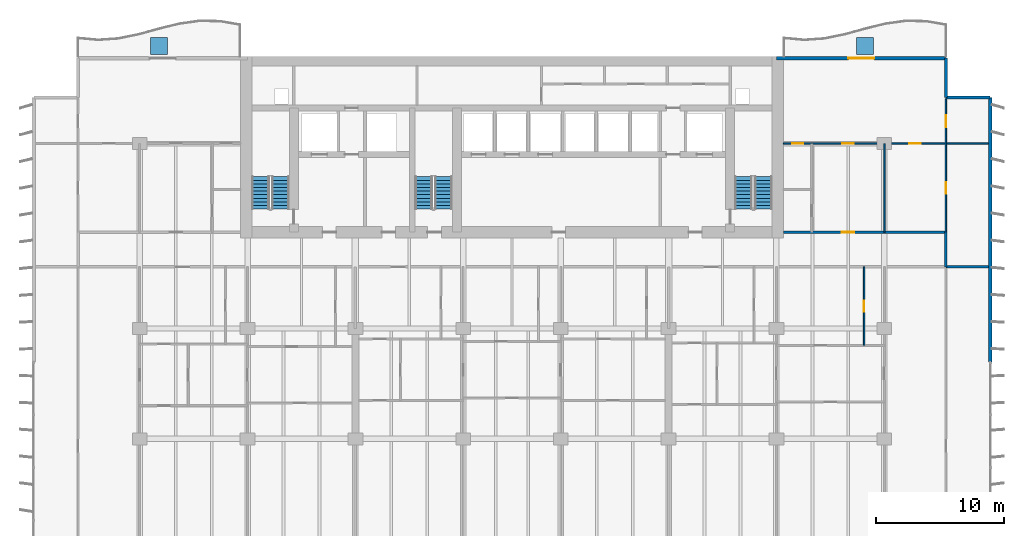
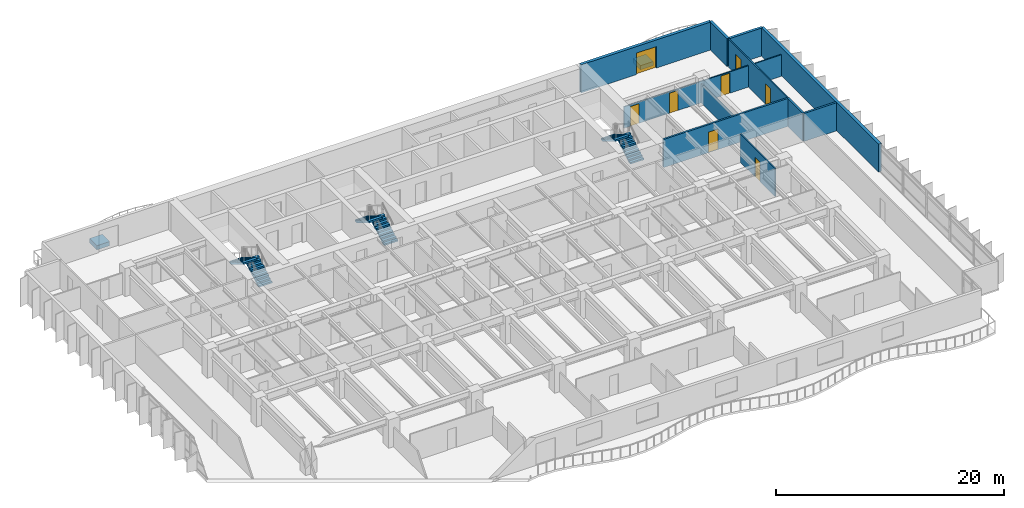
# One storey, part 11 of 15: 11 walls, 8 doors, 6 stair flights, 2 discrete accessories, 8 openings, 3 elements without a shape of their own.
"""IFC4 building model written with IfcOpenShell, lengths in metres."""

from ifc_helpers import new_model, si_unit, direction, frame, frame_2d, origin, origin_2d, place, context, subcontext, project, spatial, polyline, rectangle, outline, extrude, material, layer, layer_set, type_object, element, fill, aggregate, save


model = new_model("IFC4")

# Units and contexts
model_context = context("Model", 3, precision=1e-05, world=origin(), true_north=direction((0.0, 1.0)))
body_context = subcontext(model_context, "Body", "Model", "MODEL_VIEW")
ifc_project = project(units=[si_unit("LENGTHUNIT", "METRE"), si_unit("AREAUNIT", "SQUARE_METRE"), si_unit("VOLUMEUNIT", "CUBIC_METRE"), si_unit("PLANEANGLEUNIT", "RADIAN"), si_unit("MASSUNIT", "GRAM", prefix="KILO")], contexts=[model_context])

# Site, building, storey
site_placement = place(None, origin())
site = spatial("IfcSite", under=ifc_project, at=site_placement, CompositionType="ELEMENT")
building_placement = place(site_placement, origin())
building = spatial("IfcBuilding", under=site, at=building_placement, Name="Caelmar Bay Residences", CompositionType="ELEMENT")
storey_placement = place(building_placement, frame((0.0, 0.0, 76.199951171875)))
storey = spatial("IfcBuildingStorey", under=building, at=storey_placement, Name="L20", CompositionType="ELEMENT", Elevation=76.199951171875)

# Wall
ifc_material_1 = material(Name="Double-stud acoustic fire-rated gypsum partition 180 mm")
ifc_layer_1 = layer(ifc_material_1, 0.179931640625)
ifc_layer_set_1 = layer_set([ifc_layer_1], Name="Double-stud acoustic fire-rated gypsum partition 180 mm")
wall_type_1 = type_object("IfcWallType", Name="W-COR-200", PredefinedType="PARTITIONING", material=ifc_layer_set_1)
wall_1_placement = place(storey_placement, frame((72.699951171875, 34.205078125, 0.0), z_axis=(0.0, 0.0, 1.0), x_axis=(0.0, 1.0, 0.0)))
element("IfcWall", 1, at=wall_1_placement, inside=storey, type_object=wall_type_1, Name="L20 Partition Wall V054", PredefinedType="PARTITIONING", context=body_context, shape_type="SweptSolid", body=[
    extrude(rectangle(XDim=2.69482421875, YDim=0.179931640625, at=frame_2d((1.347412109375, 0.0))), origin(), (0.0, 0.0, 1.0), 3.0),
])

# Wall, opening, door
wall_2_placement = place(storey_placement, frame((60.054931640625, 36.89990234375, 0.0), z_axis=(0.0, 0.0, 1.0), x_axis=(1.0, 0.0, 0.0)))
wall_2 = element("IfcWall", 2, at=wall_2_placement, inside=storey, type_object=wall_type_1, Name="L20 Partition Wall H077", PredefinedType="PARTITIONING", context=body_context, shape_type="SweptSolid", body=[
    extrude(rectangle(XDim=12.64501953125, YDim=0.179931640625, at=frame_2d((6.322509765625, 0.0))), origin(), (0.0, 0.0, 1.0), 3.0),
])
opening_1_placement = place(wall_2_placement, frame((4.52001953125, 0.0, 0.0)))
opening_1 = element("IfcOpeningElement", 3, at=opening_1_placement, cuts=wall_2, Name="Opening D-L20-168", PredefinedType="OPENING", context=body_context, shape_type="SweptSolid", body=[
    extrude(rectangle(XDim=1.0, YDim=2.199951171875, at=frame_2d((0.5, 1.10009765625))), frame((0.0, 0.099853515625, 0.0), z_axis=(0.0, -1.0, 0.0), x_axis=(1.0, 0.0, 0.0)), (0.0, 0.0, 1.0), 0.199951171875),
])
ifc_material_2 = material(Name="Fire-rated steel and walnut architectural door assembly", Category="steel")
ifc_layer_2 = layer(ifc_material_2, 0.050048828125)
ifc_layer_set_2 = layer_set([ifc_layer_2], Name="Fire-rated steel and walnut architectural door assembly")
door_type_1 = type_object("IfcDoorType", Name="D-UNIT-1000", OperationType="NOTDEFINED", PredefinedType="DOOR", material=ifc_layer_set_2)
door_1_placement = place(opening_1_placement, origin())
door_1 = element("IfcDoor", 4, at=door_1_placement, inside=storey, type_object=door_type_1, Name="L20 Residence EA Kitchen Door", OperationType="SINGLE_SWING_LEFT", OverallHeight=2.199951171875, OverallWidth=1.0, PredefinedType="DOOR", context=body_context, shape_type="SweptSolid", body=[
    extrude(rectangle(XDim=1.0, YDim=2.199951171875, at=frame_2d((0.5, 1.10009765625))), frame((0.0, 0.02490234375, 0.0), z_axis=(0.0, -1.0, 0.0), x_axis=(1.0, 0.0, 0.0)), (0.0, 0.0, 1.0), 0.050048828125),
])
fill(opening_1, door_1)

# Walls
ifc_material_3 = material(Name="Precast concrete f'c 40 MPa (6,000 psi)", Category="concrete")
ifc_layer_3 = layer(ifc_material_3, 0.25)
ifc_layer_set_3 = layer_set([ifc_layer_3], Name="Precast concrete f'c 40 MPa (6,000 psi)")
wall_type_2 = type_object("IfcWallType", Name="W-EXT-250", PredefinedType="ELEMENTEDWALL", material=ifc_layer_set_3)
wall_3_placement = place(storey_placement, frame((72.699951171875, 50.449951171875, 0.0), z_axis=(0.0, 0.0, 1.0), x_axis=(0.0, -1.0, 0.0)))
element("IfcWall", 5, at=wall_3_placement, inside=storey, type_object=wall_type_2, Name="L20 NNE-V Notch Wall", PredefinedType="ELEMENTEDWALL", context=body_context, shape_type="SweptSolid", body=[
    extrude(rectangle(XDim=3.050048828125, YDim=0.25, at=frame_2d((1.52490234375, 0.0))), origin(), (0.0, 0.0, 1.0), 3.0),
])
wall_4_placement = place(storey_placement, frame((72.699951171875, 47.39990234375, 0.0), z_axis=(0.0, 0.0, 1.0), x_axis=(1.0, 0.0, 0.0)))
element("IfcWall", 6, at=wall_4_placement, inside=storey, type_object=wall_type_2, Name="L20 NNE-H Notch Wall", PredefinedType="ELEMENTEDWALL", context=body_context, shape_type="SweptSolid", body=[
    extrude(rectangle(XDim=3.449951171875, YDim=0.25, at=frame_2d((1.72509765625, 0.0))), origin(), (0.0, 0.0, 1.0), 3.0),
])
ifc_layer_4 = layer(ifc_material_3, 0.300048828125)
ifc_layer_set_4 = layer_set([ifc_layer_4], Name="Precast concrete f'c 40 MPa (6,000 psi)")
wall_type_3 = type_object("IfcWallType", Name="W-EXT-300", PredefinedType="STANDARD", material=ifc_layer_set_4)
wall_5_placement = place(storey_placement, frame((76.14990234375, 47.39990234375, 0.0), z_axis=(0.0, 0.0, 1.0), x_axis=(0.0, -1.0, 0.0)))
element("IfcWall", 7, at=wall_5_placement, inside=storey, type_object=wall_type_3, Name="L20 East Rear Exterior Wall", PredefinedType="STANDARD", context=body_context, shape_type="SweptSolid", body=[
    extrude(rectangle(XDim=20.599853515625, YDim=0.300048828125, at=frame_2d((10.2998046875, 0.0))), origin(), (0.0, 0.0, 1.0), 3.0),
])

# Wall, opening, door
wall_6_placement = place(storey_placement, frame((59.5, 50.449951171875, 0.0), z_axis=(0.0, 0.0, 1.0), x_axis=(1.0, 0.0, 0.0)))
wall_6 = element("IfcWall", 8, at=wall_6_placement, inside=storey, type_object=wall_type_3, Name="L20 North-East Wing Exterior Wall", PredefinedType="STANDARD", context=body_context, shape_type="SweptSolid", body=[
    extrude(rectangle(XDim=13.199951171875, YDim=0.300048828125, at=frame_2d((6.60009765625, 0.0))), origin(), (0.0, 0.0, 1.0), 3.0),
])
opening_2_placement = place(wall_6_placement, frame((5.60009765625, 0.0, 0.0)))
opening_2 = element("IfcOpeningElement", 9, at=opening_2_placement, cuts=wall_6, Name="Opening L20-BDNE", PredefinedType="OPENING", context=body_context, shape_type="SweptSolid", body=[
    extrude(rectangle(XDim=2.0, YDim=2.300048828125, at=frame_2d((1.0, 1.14990234375))), frame((0.0, 0.159912109375, 0.0), z_axis=(0.0, -1.0, 0.0), x_axis=(1.0, 0.0, 0.0)), (0.0, 0.0, 1.0), 0.320068359375),
])
ifc_material_4 = material(Name="Anodised bronze thermally broken sliding glass door", Category="glass")
ifc_layer_5 = layer(ifc_material_4, 0.050048828125)
ifc_layer_set_5 = layer_set([ifc_layer_5], Name="Anodised bronze thermally broken sliding glass door")
door_type_2 = type_object("IfcDoorType", Name="D-BAL-2000", OperationType="DOUBLE_DOOR_SLIDING", PredefinedType="DOOR", material=ifc_layer_set_5)
door_2_placement = place(opening_2_placement, origin())
door_2 = element("IfcDoor", 10, at=door_2_placement, inside=storey, type_object=door_type_2, Name="L20 North-East Balcony Door", OperationType="DOUBLE_DOOR_SLIDING", OverallHeight=2.300048828125, OverallWidth=2.0, PredefinedType="DOOR", context=body_context, shape_type="SweptSolid", body=[
    extrude(rectangle(XDim=2.0, YDim=2.300048828125, at=frame_2d((1.0, 1.14990234375))), frame((0.0, 0.02490234375, 0.0), z_axis=(0.0, -1.0, 0.0), x_axis=(1.0, 0.0, 0.0)), (0.0, 0.0, 1.0), 0.050048828125),
])
fill(opening_2, door_2)

ifc_material_5 = material(Name="Acoustic metal-stud gypsum partition 120 mm")
ifc_layer_6 = layer(ifc_material_5, 0.1201171875)
ifc_layer_set_6 = layer_set([ifc_layer_6], Name="Acoustic metal-stud gypsum partition 120 mm")
wall_type_4 = type_object("IfcWallType", Name="W-PRT-120", PredefinedType="PARTITIONING", material=ifc_layer_set_6)
wall_7_placement = place(storey_placement, frame((66.3310546875, 28.080078125, 0.0), z_axis=(0.0, 0.0, 1.0), x_axis=(0.0, 1.0, 0.0)))
wall_7 = element("IfcWall", 11, at=wall_7_placement, inside=storey, type_object=wall_type_4, Name="L20 Partition Wall V049", PredefinedType="PARTITIONING", context=body_context, shape_type="SweptSolid", body=[
    extrude(rectangle(XDim=6.119873046875, YDim=0.1201171875, at=frame_2d((3.06005859375, 0.0))), origin(), (0.0, 0.0, 1.0), 3.0),
])
opening_3_placement = place(wall_7_placement, frame((2.635009765625, 0.0, 0.0)))
opening_3 = element("IfcOpeningElement", 12, at=opening_3_placement, cuts=wall_7, Name="Opening D-L20-154", PredefinedType="OPENING", context=body_context, shape_type="SweptSolid", body=[
    extrude(rectangle(XDim=0.85009765625, YDim=2.10009765625, at=frame_2d((0.425048828125, 1.050048828125))), frame((0.0, 0.070068359375, 0.0), z_axis=(0.0, -1.0, 0.0), x_axis=(1.0, 0.0, 0.0)), (0.0, 0.0, 1.0), 0.14013671875),
])
ifc_material_6 = material(Name="Solid walnut timber interior door leaf and frame", Category="wood")
ifc_layer_7 = layer(ifc_material_6, 0.050048828125)
ifc_layer_set_7 = layer_set([ifc_layer_7], Name="Solid walnut timber interior door leaf and frame")
door_type_3 = type_object("IfcDoorType", Name="D-BATH-850", OperationType="NOTDEFINED", PredefinedType="DOOR", material=ifc_layer_set_7)
door_3_placement = place(opening_3_placement, origin())
door_3 = element("IfcDoor", 13, at=door_3_placement, inside=storey, type_object=door_type_3, Name="L20 Residence 03 En-Suite Bathroom 1 Door", OperationType="SINGLE_SWING_LEFT", OverallHeight=2.10009765625, OverallWidth=0.85009765625, PredefinedType="DOOR", context=body_context, shape_type="SweptSolid", body=[
    extrude(rectangle(XDim=0.85009765625, YDim=2.10009765625, at=frame_2d((0.425048828125, 1.050048828125))), frame((0.0, 0.02490234375, 0.0), z_axis=(0.0, -1.0, 0.0), x_axis=(1.0, 0.0, 0.0)), (0.0, 0.0, 1.0), 0.050048828125),
])
fill(opening_3, door_3)

# Wall
wall_8_placement = place(storey_placement, frame((67.89990234375, 36.89990234375, 0.0), z_axis=(0.0, 0.0, 1.0), x_axis=(0.0, 1.0, 0.0)))
element("IfcWall", 14, at=wall_8_placement, inside=storey, type_object=wall_type_4, Name="L20 Partition Wall V052", PredefinedType="PARTITIONING", context=body_context, shape_type="SweptSolid", body=[
    extrude(rectangle(XDim=6.900146484375, YDim=0.1201171875, at=frame_2d((3.4501953125, 0.0))), origin(), (0.0, 0.0, 1.0), 2.06005859375),
])

# Wall, openings, doors
wall_9_placement = place(storey_placement, frame((72.699951171875, 36.905029296875, 0.0), z_axis=(0.0, 0.0, 1.0), x_axis=(0.0, 1.0, 0.0)))
wall_9 = element("IfcWall", 15, at=wall_9_placement, inside=storey, type_object=wall_type_4, Name="L20 Partition Wall V055", PredefinedType="PARTITIONING", context=body_context, shape_type="SweptSolid", body=[
    extrude(rectangle(XDim=10.375, YDim=0.1201171875, at=frame_2d((5.1875, 0.0))), origin(), (0.0, 0.0, 1.0), 3.0),
])
opening_4_placement = place(wall_9_placement, frame((2.99755859375, 0.0, 0.0)))
opening_4 = element("IfcOpeningElement", 16, at=opening_4_placement, cuts=wall_9, Name="Opening D-L20-172", PredefinedType="OPENING", context=body_context, shape_type="SweptSolid", body=[
    extrude(rectangle(XDim=0.89990234375, YDim=2.14990234375, at=frame_2d((0.449951171875, 1.074951171875))), frame((0.0, 0.070068359375, 0.0), z_axis=(0.0, -1.0, 0.0), x_axis=(1.0, 0.0, 0.0)), (0.0, 0.0, 1.0), 0.14013671875),
])
opening_5_placement = place(wall_9_placement, frame((8.18505859375, 0.0, 0.0)))
opening_5 = element("IfcOpeningElement", 17, at=opening_5_placement, cuts=wall_9, Name="Opening D-L20-173", PredefinedType="OPENING", context=body_context, shape_type="SweptSolid", body=[
    extrude(rectangle(XDim=0.89990234375, YDim=2.14990234375, at=frame_2d((0.449951171875, 1.074951171875))), frame((0.0, 0.070068359375, 0.0), z_axis=(0.0, -1.0, 0.0), x_axis=(1.0, 0.0, 0.0)), (0.0, 0.0, 1.0), 0.14013671875),
])
ifc_layer_8 = layer(ifc_material_6, 0.050048828125)
ifc_layer_set_8 = layer_set([ifc_layer_8], Name="Solid walnut timber interior door leaf and frame")
door_type_4 = type_object("IfcDoorType", Name="D-ROOM-900", OperationType="NOTDEFINED", PredefinedType="DOOR", material=ifc_layer_set_8)
door_4_placement = place(opening_4_placement, origin())
door_4 = element("IfcDoor", 18, at=door_4_placement, inside=storey, type_object=door_type_4, Name="L20 Residence EA Sun Study Door", OperationType="SINGLE_SWING_LEFT", OverallHeight=2.14990234375, OverallWidth=0.89990234375, PredefinedType="DOOR", context=body_context, shape_type="SweptSolid", body=[
    extrude(rectangle(XDim=0.89990234375, YDim=2.14990234375, at=frame_2d((0.449951171875, 1.074951171875))), frame((0.0, 0.02490234375, 0.0), z_axis=(0.0, -1.0, 0.0), x_axis=(1.0, 0.0, 0.0)), (0.0, 0.0, 1.0), 0.050048828125),
])
fill(opening_4, door_4)
door_5_placement = place(opening_5_placement, origin())
door_5 = element("IfcDoor", 19, at=door_5_placement, inside=storey, type_object=door_type_4, Name="L20 Residence EA North Sitting Alcove Door", OperationType="SINGLE_SWING_RIGHT", OverallHeight=2.14990234375, OverallWidth=0.89990234375, PredefinedType="DOOR", context=body_context, shape_type="SweptSolid", body=[
    extrude(rectangle(XDim=0.89990234375, YDim=2.14990234375, at=frame_2d((0.449951171875, 1.074951171875))), frame((0.0, 0.02490234375, 0.0), z_axis=(0.0, -1.0, 0.0), x_axis=(1.0, 0.0, 0.0)), (0.0, 0.0, 1.0), 0.050048828125),
])
fill(opening_5, door_5)

wall_10_placement = place(storey_placement, frame((60.044921875, 43.800048828125, 0.0), z_axis=(0.0, 0.0, 1.0), x_axis=(1.0, 0.0, 0.0)))
wall_10 = element("IfcWall", 20, at=wall_10_placement, inside=storey, type_object=wall_type_4, Name="L20 Partition Wall H081", PredefinedType="PARTITIONING", context=body_context, shape_type="SweptSolid", body=[
    extrude(rectangle(XDim=15.9599609375, YDim=0.1201171875, at=frame_2d((7.97998046875, 0.0))), origin(), (0.0, 0.0, 1.0), 2.2890625),
])
opening_6_placement = place(wall_10_placement, frame((9.804931640625, 0.0, 0.0)))
opening_6 = element("IfcOpeningElement", 21, at=opening_6_placement, cuts=wall_10, Name="Opening D-L20-167", PredefinedType="OPENING", context=body_context, shape_type="SweptSolid", body=[
    extrude(rectangle(XDim=0.89990234375, YDim=2.14990234375, at=frame_2d((0.449951171875, 1.074951171875))), frame((0.0, 0.070068359375, 0.0), z_axis=(0.0, -1.0, 0.0), x_axis=(1.0, 0.0, 0.0)), (0.0, 0.0, 1.0), 0.14013671875),
])
opening_7_placement = place(wall_10_placement, frame((4.580078125, 0.0, 0.0)))
opening_7 = element("IfcOpeningElement", 22, at=opening_7_placement, cuts=wall_10, Name="Opening D-L20-169", PredefinedType="OPENING", context=body_context, shape_type="SweptSolid", body=[
    extrude(rectangle(XDim=0.89990234375, YDim=2.14990234375, at=frame_2d((0.449951171875, 1.074951171875))), frame((0.0, 0.070068359375, 0.0), z_axis=(0.0, -1.0, 0.0), x_axis=(1.0, 0.0, 0.0)), (0.0, 0.0, 1.0), 0.14013671875),
])
opening_8_placement = place(wall_10_placement, frame((0.677490234375, 0.0, 0.0)))
opening_8 = element("IfcOpeningElement", 23, at=opening_8_placement, cuts=wall_10, Name="Opening D-L20-171", PredefinedType="OPENING", context=body_context, shape_type="SweptSolid", body=[
    extrude(rectangle(XDim=0.85009765625, YDim=2.10009765625, at=frame_2d((0.425048828125, 1.050048828125))), frame((0.0, 0.070068359375, 0.0), z_axis=(0.0, -1.0, 0.0), x_axis=(1.0, 0.0, 0.0)), (0.0, 0.0, 1.0), 0.14013671875),
])
door_6_placement = place(opening_8_placement, origin())
door_6 = element("IfcDoor", 24, at=door_6_placement, inside=storey, type_object=door_type_3, Name="L20 Residence EA Bathroom Door", OperationType="SINGLE_SWING_RIGHT", OverallHeight=2.10009765625, OverallWidth=0.85009765625, PredefinedType="DOOR", context=body_context, shape_type="SweptSolid", body=[
    extrude(rectangle(XDim=0.85009765625, YDim=2.10009765625, at=frame_2d((0.425048828125, 1.050048828125))), frame((0.0, 0.02490234375, 0.0), z_axis=(0.0, -1.0, 0.0), x_axis=(1.0, 0.0, 0.0)), (0.0, 0.0, 1.0), 0.050048828125),
])
fill(opening_8, door_6)
door_7_placement = place(opening_6_placement, origin())
door_7 = element("IfcDoor", 25, at=door_7_placement, inside=storey, type_object=door_type_4, Name="L20 Residence EA Study Door", OperationType="SINGLE_SWING_RIGHT", OverallHeight=2.14990234375, OverallWidth=0.89990234375, PredefinedType="DOOR", context=body_context, shape_type="SweptSolid", body=[
    extrude(rectangle(XDim=0.89990234375, YDim=2.14990234375, at=frame_2d((0.449951171875, 1.074951171875))), frame((0.0, 0.02490234375, 0.0), z_axis=(0.0, -1.0, 0.0), x_axis=(1.0, 0.0, 0.0)), (0.0, 0.0, 1.0), 0.050048828125),
])
fill(opening_6, door_7)
door_8_placement = place(opening_7_placement, origin())
door_8 = element("IfcDoor", 26, at=door_8_placement, inside=storey, type_object=door_type_4, Name="L20 Residence EA Studio Living and Sleeping Room Door", OperationType="SINGLE_SWING_RIGHT", OverallHeight=2.14990234375, OverallWidth=0.89990234375, PredefinedType="DOOR", context=body_context, shape_type="SweptSolid", body=[
    extrude(rectangle(XDim=0.89990234375, YDim=2.14990234375, at=frame_2d((0.449951171875, 1.074951171875))), frame((0.0, 0.02490234375, 0.0), z_axis=(0.0, -1.0, 0.0), x_axis=(1.0, 0.0, 0.0)), (0.0, 0.0, 1.0), 0.050048828125),
])
fill(opening_7, door_8)

# Wall
ifc_material_7 = material(Name="Acoustic twin-stud fire-rated inter-tenancy partition 200 mm")
ifc_layer_9 = layer(ifc_material_7, 0.199951171875)
ifc_layer_set_9 = layer_set([ifc_layer_9], Name="Acoustic twin-stud fire-rated inter-tenancy partition 200 mm")
wall_type_5 = type_object("IfcWallType", Name="W-PTY-200", PredefinedType="PARTITIONING", material=ifc_layer_set_9)
wall_11_placement = place(storey_placement, frame((72.705078125, 34.199951171875, 0.0), z_axis=(0.0, 0.0, 1.0), x_axis=(1.0, 0.0, 0.0)))
element("IfcWall", 27, at=wall_11_placement, inside=storey, type_object=wall_type_5, Name="L20 Partition Wall H075", PredefinedType="PARTITIONING", context=body_context, shape_type="SweptSolid", body=[
    extrude(rectangle(XDim=3.2998046875, YDim=0.199951171875, at=frame_2d((1.64990234375, 0.0))), origin(), (0.0, 0.0, 1.0), 3.0),
])

# Stair, stair flights
ifc_material_8 = material(Name="Concrete f'c 40 MPa (6,000 psi)", Category="concrete")
stair_type = type_object("IfcStairType", Name="ST-TYP-165", PredefinedType="HALF_TURN_STAIR", material=ifc_material_8)
stair_1_placement = place(storey_placement, origin())
stair_1 = element("IfcStair", 28, at=stair_1_placement, inside=storey, type_object=stair_type, Name="L20 West Smokeproof Exit Stair ST1", PredefinedType="HALF_TURN_STAIR")
stair_flight_type = type_object("IfcStairFlightType", Name="STF-1350", PredefinedType="STRAIGHT", material=ifc_material_8)
stair_flight_1_placement = place(storey_placement, frame((20.875, 38.699951171875, 0.0), z_axis=(0.0, 0.0, 1.0), x_axis=(0.0, 1.0, 0.0)))
stair_flight_1 = element("IfcStairFlight", 29, at=stair_flight_1_placement, type_object=stair_flight_type, Name="ST1 flight 1", NumberOfRisers=10, NumberOfTreads=9, PredefinedType="STRAIGHT", RiserHeight=0.165, TreadLength=0.28, context=body_context, shape_type="SweptSolid", body=[
    extrude(outline(polyline([(0.0, 0.0), (0.0, 0.1650390625), (0.280029296875, 0.1650390625), (0.280029296875, 0.330078125), (0.56005859375, 0.330078125), (0.56005859375, 0.4951171875), (0.840087890625, 0.4951171875), (0.840087890625, 0.659912109375), (1.1201171875, 0.659912109375), (1.1201171875, 0.824951171875), (1.39990234375, 0.824951171875), (1.39990234375, 0.989990234375), (1.679931640625, 0.989990234375), (1.679931640625, 1.155029296875), (1.9599609375, 1.155029296875), (1.9599609375, 1.320068359375), (2.239990234375, 1.320068359375), (2.239990234375, 1.485107421875), (2.52001953125, 1.485107421875), (2.52001953125, 1.64990234375), (2.52001953125, 1.31103515625), (0.295166015625, 0.0), (0.0, 0.0)])), frame((0.0, 0.675048828125, 0.0), z_axis=(0.0, -1.0, 0.0), x_axis=(1.0, 0.0, 0.0)), (0.0, 0.0, 1.0), 1.35009765625),
])
stair_flight_2_placement = place(storey_placement, frame((19.324951171875, 41.219970703125, 1.650146484375), z_axis=(0.0, 0.0, 1.0), x_axis=(0.0, -1.0, 0.0)))
stair_flight_2 = element("IfcStairFlight", 30, at=stair_flight_2_placement, type_object=stair_flight_type, Name="ST1 flight 2", NumberOfRisers=10, NumberOfTreads=9, PredefinedType="STRAIGHT", RiserHeight=0.165, TreadLength=0.28, context=body_context, shape_type="SweptSolid", body=[
    extrude(outline(polyline([(0.0, 0.0), (0.0, 0.1650390625), (0.280029296875, 0.1650390625), (0.280029296875, 0.330078125), (0.56005859375, 0.330078125), (0.56005859375, 0.4951171875), (0.840087890625, 0.4951171875), (0.840087890625, 0.659912109375), (1.1201171875, 0.659912109375), (1.1201171875, 0.824951171875), (1.39990234375, 0.824951171875), (1.39990234375, 0.989990234375), (1.679931640625, 0.989990234375), (1.679931640625, 1.155029296875), (1.9599609375, 1.155029296875), (1.9599609375, 1.320068359375), (2.239990234375, 1.320068359375), (2.239990234375, 1.485107421875), (2.52001953125, 1.485107421875), (2.52001953125, 1.64990234375), (2.52001953125, 1.31103515625), (0.295166015625, 0.0), (0.0, 0.0)])), frame((0.0, 0.675048828125, 0.0), z_axis=(0.0, -1.0, 0.0), x_axis=(1.0, 0.0, 0.0)), (0.0, 0.0, 1.0), 1.35009765625),
])
aggregate(stair_1, [stair_flight_1, stair_flight_2])

stair_2_placement = place(storey_placement, origin())
stair_2 = element("IfcStair", 31, at=stair_2_placement, inside=storey, type_object=stair_type, Name="L20 East Smokeproof Exit Stair ST2", PredefinedType="HALF_TURN_STAIR")
stair_flight_3_placement = place(storey_placement, frame((58.47509765625, 38.699951171875, 0.0), z_axis=(0.0, 0.0, 1.0), x_axis=(0.0, 1.0, 0.0)))
stair_flight_3 = element("IfcStairFlight", 32, at=stair_flight_3_placement, type_object=stair_flight_type, Name="ST2 flight 1", NumberOfRisers=10, NumberOfTreads=9, PredefinedType="STRAIGHT", RiserHeight=0.165, TreadLength=0.28, context=body_context, shape_type="SweptSolid", body=[
    extrude(outline(polyline([(0.0, 0.0), (0.0, 0.1650390625), (0.280029296875, 0.1650390625), (0.280029296875, 0.330078125), (0.56005859375, 0.330078125), (0.56005859375, 0.4951171875), (0.840087890625, 0.4951171875), (0.840087890625, 0.659912109375), (1.1201171875, 0.659912109375), (1.1201171875, 0.824951171875), (1.39990234375, 0.824951171875), (1.39990234375, 0.989990234375), (1.679931640625, 0.989990234375), (1.679931640625, 1.155029296875), (1.9599609375, 1.155029296875), (1.9599609375, 1.320068359375), (2.239990234375, 1.320068359375), (2.239990234375, 1.485107421875), (2.52001953125, 1.485107421875), (2.52001953125, 1.64990234375), (2.52001953125, 1.31103515625), (0.295166015625, 0.0), (0.0, 0.0)])), frame((0.0, 0.675048828125, 0.0), z_axis=(0.0, -1.0, 0.0), x_axis=(1.0, 0.0, 0.0)), (0.0, 0.0, 1.0), 1.35009765625),
])
stair_flight_4_placement = place(storey_placement, frame((56.925048828125, 41.219970703125, 1.650146484375), z_axis=(0.0, 0.0, 1.0), x_axis=(0.0, -1.0, 0.0)))
stair_flight_4 = element("IfcStairFlight", 33, at=stair_flight_4_placement, type_object=stair_flight_type, Name="ST2 flight 2", NumberOfRisers=10, NumberOfTreads=9, PredefinedType="STRAIGHT", RiserHeight=0.165, TreadLength=0.28, context=body_context, shape_type="SweptSolid", body=[
    extrude(outline(polyline([(0.0, 0.0), (0.0, 0.1650390625), (0.280029296875, 0.1650390625), (0.280029296875, 0.330078125), (0.56005859375, 0.330078125), (0.56005859375, 0.4951171875), (0.840087890625, 0.4951171875), (0.840087890625, 0.659912109375), (1.1201171875, 0.659912109375), (1.1201171875, 0.824951171875), (1.39990234375, 0.824951171875), (1.39990234375, 0.989990234375), (1.679931640625, 0.989990234375), (1.679931640625, 1.155029296875), (1.9599609375, 1.155029296875), (1.9599609375, 1.320068359375), (2.239990234375, 1.320068359375), (2.239990234375, 1.485107421875), (2.52001953125, 1.485107421875), (2.52001953125, 1.64990234375), (2.52001953125, 1.31103515625), (0.295166015625, 0.0), (0.0, 0.0)])), frame((0.0, 0.675048828125, 0.0), z_axis=(0.0, -1.0, 0.0), x_axis=(1.0, 0.0, 0.0)), (0.0, 0.0, 1.0), 1.35009765625),
])
aggregate(stair_2, [stair_flight_3, stair_flight_4])

stair_3_placement = place(storey_placement, origin())
stair_3 = element("IfcStair", 34, at=stair_3_placement, inside=storey, type_object=stair_type, Name="L20 Central Smokeproof Exit Stair ST3", PredefinedType="HALF_TURN_STAIR")
stair_flight_5_placement = place(storey_placement, frame((33.574951171875, 38.699951171875, 0.0), z_axis=(0.0, 0.0, 1.0), x_axis=(0.0, 1.0, 0.0)))
stair_flight_5 = element("IfcStairFlight", 35, at=stair_flight_5_placement, type_object=stair_flight_type, Name="ST3 flight 1", NumberOfRisers=10, NumberOfTreads=9, PredefinedType="STRAIGHT", RiserHeight=0.165, TreadLength=0.28, context=body_context, shape_type="SweptSolid", body=[
    extrude(outline(polyline([(0.0, 0.0), (0.0, 0.1650390625), (0.280029296875, 0.1650390625), (0.280029296875, 0.330078125), (0.56005859375, 0.330078125), (0.56005859375, 0.4951171875), (0.840087890625, 0.4951171875), (0.840087890625, 0.659912109375), (1.1201171875, 0.659912109375), (1.1201171875, 0.824951171875), (1.39990234375, 0.824951171875), (1.39990234375, 0.989990234375), (1.679931640625, 0.989990234375), (1.679931640625, 1.155029296875), (1.9599609375, 1.155029296875), (1.9599609375, 1.320068359375), (2.239990234375, 1.320068359375), (2.239990234375, 1.485107421875), (2.52001953125, 1.485107421875), (2.52001953125, 1.64990234375), (2.52001953125, 1.31103515625), (0.295166015625, 0.0), (0.0, 0.0)])), frame((0.0, 0.675048828125, 0.0), z_axis=(0.0, -1.0, 0.0), x_axis=(1.0, 0.0, 0.0)), (0.0, 0.0, 1.0), 1.35009765625),
])
stair_flight_6_placement = place(storey_placement, frame((32.02490234375, 41.219970703125, 1.650146484375), z_axis=(0.0, 0.0, 1.0), x_axis=(0.0, -1.0, 0.0)))
stair_flight_6 = element("IfcStairFlight", 36, at=stair_flight_6_placement, type_object=stair_flight_type, Name="ST3 flight 2", NumberOfRisers=10, NumberOfTreads=9, PredefinedType="STRAIGHT", RiserHeight=0.165, TreadLength=0.28, context=body_context, shape_type="SweptSolid", body=[
    extrude(outline(polyline([(0.0, 0.0), (0.0, 0.1650390625), (0.280029296875, 0.1650390625), (0.280029296875, 0.330078125), (0.56005859375, 0.330078125), (0.56005859375, 0.4951171875), (0.840087890625, 0.4951171875), (0.840087890625, 0.659912109375), (1.1201171875, 0.659912109375), (1.1201171875, 0.824951171875), (1.39990234375, 0.824951171875), (1.39990234375, 0.989990234375), (1.679931640625, 0.989990234375), (1.679931640625, 1.155029296875), (1.9599609375, 1.155029296875), (1.9599609375, 1.320068359375), (2.239990234375, 1.320068359375), (2.239990234375, 1.485107421875), (2.52001953125, 1.485107421875), (2.52001953125, 1.64990234375), (2.52001953125, 1.31103515625), (0.295166015625, 0.0), (0.0, 0.0)])), frame((0.0, 0.675048828125, 0.0), z_axis=(0.0, -1.0, 0.0), x_axis=(1.0, 0.0, 0.0)), (0.0, 0.0, 1.0), 1.35009765625),
])
aggregate(stair_3, [stair_flight_5, stair_flight_6])

# Discrete accessories
discrete_accessory_type = type_object("IfcDiscreteAccessoryType", Name="STR-PLANTER-KERB-450", PredefinedType="USERDEFINED", material=ifc_material_3)
for number, where, z_axis, x_axis, name in (
    (37, (11.39990234375, 51.39990234375, 0.0), (0.0, 0.0, 1.0), (1.0, 0.0, 0.0), "L20 north_west Structural Tree Planter Kerb"),
    (38, (66.39990234375, 51.39990234375, 0.0), (0.0, 0.0, 1.0), (1.0, 0.0, 0.0), "L20 north_east Structural Tree Planter Kerb"),
):
    element("IfcDiscreteAccessory", number, at=place(storey_placement, frame(where, z_axis=z_axis, x_axis=x_axis)), inside=storey, type_object=discrete_accessory_type, Name=name, ObjectType="PLANTER", PredefinedType="USERDEFINED", context=body_context, shape_type="SweptSolid", body=[
        extrude(rectangle(XDim=1.300048828125, YDim=1.300048828125, at=origin_2d()), origin(), (0.0, 0.0, 1.0), 0.449951171875),
    ])

save(model, "model.ifc")
